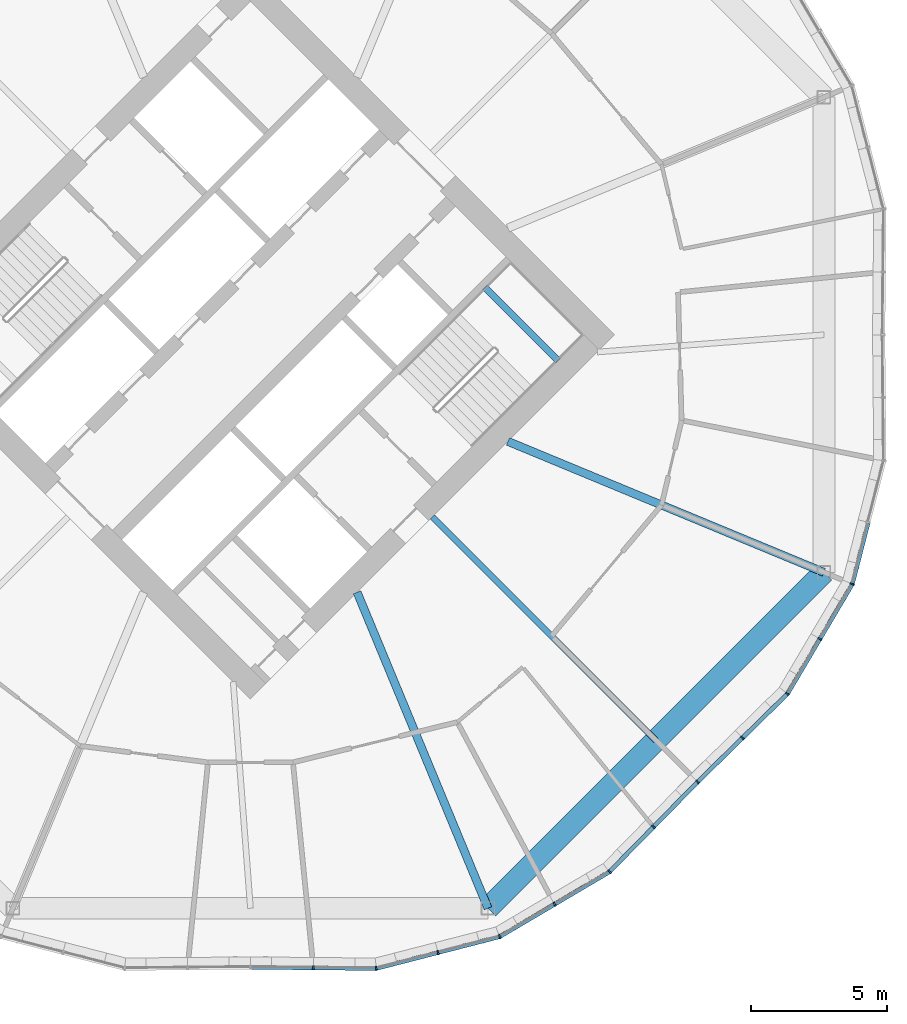
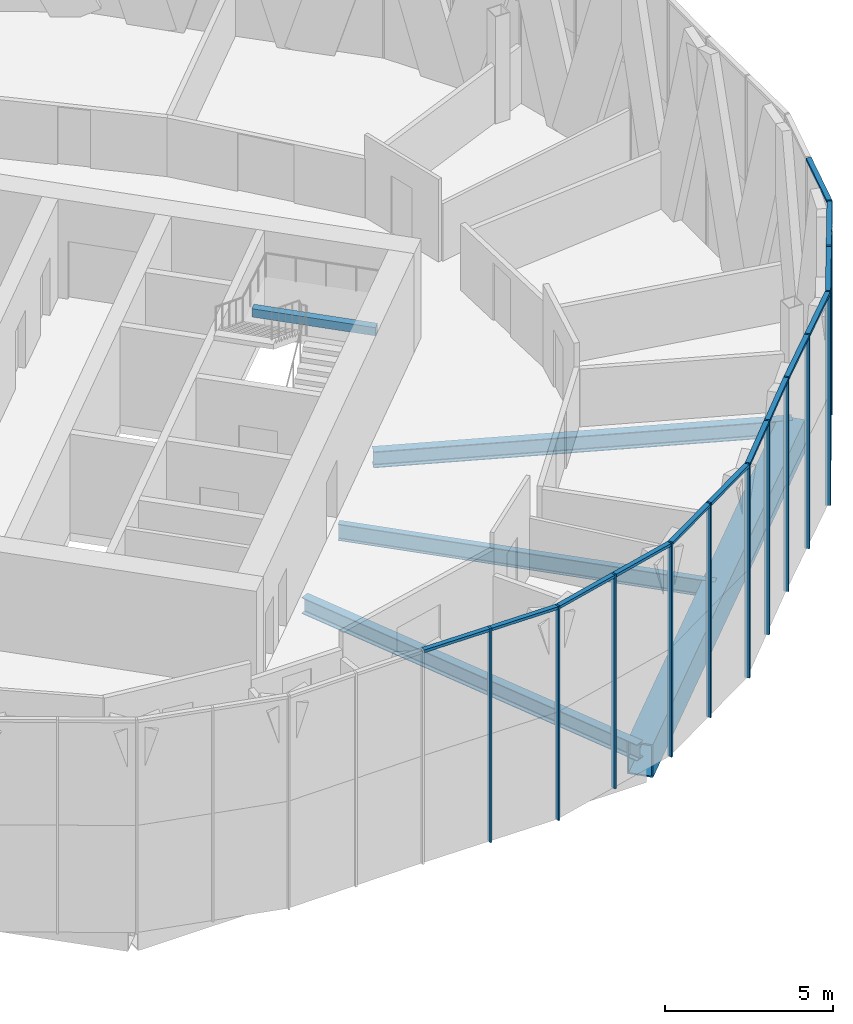
# One storey, part 13 of 31: 25 members, 5 beams, 2 elements without a shape of their own.
"""IFC4 building model written with IfcOpenShell, lengths in metres."""

from ifc_helpers import new_model, si_unit, direction, frame, origin, origin_2d, place, context, subcontext, project, spatial, rectangle, hollow_rectangle, i_section, extrude, material, material_profile, profile_set, type_object, element, aggregate, save


model = new_model("IFC4")

# Units and contexts
model_context = context("Model", 3, precision=1e-05, world=origin(), true_north=direction((0.0, 1.0)))
body_context = subcontext(model_context, "Body", "Model", "MODEL_VIEW")
ifc_project = project(units=[si_unit("LENGTHUNIT", "METRE"), si_unit("AREAUNIT", "SQUARE_METRE"), si_unit("VOLUMEUNIT", "CUBIC_METRE"), si_unit("PLANEANGLEUNIT", "RADIAN"), si_unit("MASSUNIT", "GRAM", prefix="KILO")], contexts=[model_context])

# Site, building, storey
site_placement = place(None, origin())
site = spatial("IfcSite", under=ifc_project, at=site_placement, CompositionType="ELEMENT")
building_placement = place(site_placement, origin())
building = spatial("IfcBuilding", under=site, at=building_placement, Name="Ogive Gate Towers", CompositionType="ELEMENT")
storey_placement = place(building_placement, frame((0.0, 0.0, 63.60009765625)))
storey = spatial("IfcBuildingStorey", under=building, at=storey_placement, Name="L14", CompositionType="ELEMENT", Elevation=63.60009765625)

# Beams
ifc_material_1 = material(Name="Steel SM460", Category="steel")
ifc_material_profile_1 = material_profile(ifc_material_1, hollow_rectangle(XDim=0.800048828125, YDim=1.199951171875, WallThickness=0.050048828125, at=origin_2d()), Name="BX 1200x800x50")
ifc_profile_set_1 = profile_set([ifc_material_profile_1], Name="Steel SM460")
beam_type_1 = type_object("IfcBeamType", Name="Edge girder BX 1200x800x50", PredefinedType="BEAM", material=ifc_profile_set_1)
beam_1_placement = place(storey_placement, frame((44.763427734375, -21.15673828125, -0.900146484375), z_axis=(0.707106781187, 0.707106781187, 0.0), x_axis=(-0.707106781187, 0.707106781187, 0.0)))
element("IfcBeam", 1, at=beam_1_placement, inside=storey, type_object=beam_type_1, Name="T2/L14/SBM019", PredefinedType="BEAM", context=body_context, shape_type="SweptSolid", body=[
    extrude(hollow_rectangle(XDim=0.800048828125, YDim=1.199951171875, WallThickness=0.050048828125, at=origin_2d()), origin(), (0.0, 0.0, 1.0), 17.52685546875),
])
ifc_material_2 = material(Name="Concrete C40/50", Category="concrete")
ifc_material_profile_2 = material_profile(ifc_material_2, rectangle(XDim=0.25, YDim=0.300048828125, at=origin_2d()), Name="RC 250x300")
ifc_profile_set_2 = profile_set([ifc_material_profile_2], Name="Concrete C40/50")
beam_type_2 = type_object("IfcBeamType", Name="Landing bearer RC 250x300", PredefinedType="BEAM", material=ifc_profile_set_2)
beam_2_placement = place(storey_placement, frame((47.349609375, -0.9541015625, 1.599853515625), z_axis=(-0.707106781187, 0.707106781187, 0.0), x_axis=(-0.707106781187, -0.707106781187, 0.0)))
element("IfcBeam", 2, at=beam_2_placement, inside=storey, type_object=beam_type_2, Name="T2 L14 stair 2 landing bearer 1", PredefinedType="BEAM", context=body_context, shape_type="SweptSolid", body=[
    extrude(rectangle(XDim=0.25, YDim=0.300048828125, at=origin_2d()), origin(), (0.0, 0.0, 1.0), 3.824951171875),
])
ifc_material_3 = material(Name="Steel SM355", Category="steel")
ifc_material_profile_3 = material_profile(ifc_material_3, i_section(OverallWidth=0.300048828125, OverallDepth=0.590087890625, WebThickness=0.012939453125, FlangeThickness=0.02490234375, FilletRadius=0.027099609375, at=origin_2d()), Name="HE 600 A")
ifc_profile_set_3 = profile_set([ifc_material_profile_3], Name="Steel SM355")
beam_type_3 = type_object("IfcBeamType", Name="Radial floor beam HE 600 A", PredefinedType="BEAM", material=ifc_profile_set_3)
for number, where, z_axis, x_axis, name in (
    (3, (39.93505859375, -9.5, -0.59521484375), (0.382682759347, -0.923879811284, 0.0), (0.923879811284, 0.382682759347, 0.0), "T2/L14/SBM005"),
    (4, (45.5, -3.93505859375, -0.59521484375), (0.923879811284, -0.382682759347, 0.0), (0.382682759347, 0.923879811284, 0.0), "T2/L14/SBM007"),
):
    element("IfcBeam", number, at=place(storey_placement, frame(where, z_axis=z_axis, x_axis=x_axis)), inside=storey, type_object=beam_type_3, Name=name, PredefinedType="BEAM", context=body_context, shape_type="SweptSolid", body=[
        extrude(i_section(OverallWidth=0.300048828125, OverallDepth=0.590087890625, WebThickness=0.012939453125, FlangeThickness=0.02490234375, FilletRadius=0.027099609375, at=origin_2d()), origin(), (0.0, 0.0, 1.0), 12.6171875),
    ])
ifc_material_profile_4 = material_profile(ifc_material_3, i_section(OverallWidth=0.219970703125, OverallDepth=0.60009765625, WebThickness=0.011962890625, FlangeThickness=0.01904296875, FilletRadius=0.02392578125, at=origin_2d()), Name="IPE 600")
ifc_profile_set_4 = profile_set([ifc_material_profile_4], Name="Steel SM355")
beam_type_4 = type_object("IfcBeamType", Name="Radial floor beam IPE 600", PredefinedType="BEAM", material=ifc_profile_set_4)
beam_3_placement = place(storey_placement, frame((42.717529296875, -6.717529296875, -0.60009765625), z_axis=(0.707106781187, -0.707106781187, 0.0), x_axis=(0.707106781187, 0.707106781187, 0.0)))
element("IfcBeam", 5, at=beam_3_placement, inside=storey, type_object=beam_type_4, Name="T2/L14/SBM006", PredefinedType="BEAM", context=body_context, shape_type="SweptSolid", body=[
    extrude(i_section(OverallWidth=0.219970703125, OverallDepth=0.60009765625, WebThickness=0.011962890625, FlangeThickness=0.01904296875, FilletRadius=0.02392578125, at=origin_2d()), origin(), (0.0, 0.0, 1.0), 11.656982421875),
])

# Curtain wall, members
ifc_material_4 = material(Name="Pale metal aluminium", Category="aluminium")
curtain_wall_type = type_object("IfcCurtainWallType", Name="Tower unitised wall, low zone", PredefinedType="NOTDEFINED", material=ifc_material_4)
curtain_wall_1_placement = place(storey_placement, origin())
curtain_wall_1 = element("IfcCurtainWall", 6, at=curtain_wall_1_placement, inside=storey, type_object=curtain_wall_type, Name="CW1 T2 ECW08", PredefinedType="NOTDEFINED")
ifc_material_profile_5 = material_profile(ifc_material_4, rectangle(XDim=0.159912109375, YDim=0.06005859375, at=origin_2d()), Name="60 x 160 aluminium box")
ifc_profile_set_5 = profile_set([ifc_material_profile_5], Name="Pale metal aluminium")
member_type_1 = type_object("IfcMemberType", Name="Tower unitised wall, low zone mullion 60 x 160", PredefinedType="MULLION", material=ifc_profile_set_5)
member_1_placement = place(storey_placement, frame((52.4970703125, -16.49658203125, -0.300048828125), z_axis=(0.0, 0.0, 1.0), x_axis=(-0.713849613797, 0.700299028189, 0.0)))
member_1 = element("IfcMember", 7, at=member_1_placement, type_object=member_type_1, Name="CW1 mullion", PredefinedType="MULLION", context=body_context, shape_type="SweptSolid", body=[
    extrude(rectangle(XDim=0.159912109375, YDim=0.06005859375, at=origin_2d()), origin(), (0.0, 0.0, 1.0), 7.800048828125),
])
member_2_placement = place(storey_placement, frame((50.873046875, -18.152099609375, -0.300048828125), z_axis=(0.0, 0.0, 1.0), x_axis=(-0.713849613797, 0.700299028189, 0.0)))
member_2 = element("IfcMember", 8, at=member_2_placement, type_object=member_type_1, Name="CW1 mullion", PredefinedType="MULLION", context=body_context, shape_type="SweptSolid", body=[
    extrude(rectangle(XDim=0.159912109375, YDim=0.06005859375, at=origin_2d()), origin(), (0.0, 0.0, 1.0), 7.800048828125),
])
member_3_placement = place(storey_placement, frame((49.2470703125, -19.809326171875, -0.300048828125), z_axis=(0.0, 0.0, 1.0), x_axis=(-0.616458855912, 0.787387121413, 0.0)))
member_3 = element("IfcMember", 9, at=member_3_placement, type_object=member_type_1, Name="CW1 mullion", PredefinedType="MULLION", context=body_context, shape_type="SweptSolid", body=[
    extrude(rectangle(XDim=0.159912109375, YDim=0.06005859375, at=origin_2d()), origin(), (0.0, 0.0, 1.0), 7.800048828125),
])
member_4_placement = place(storey_placement, frame((47.221923828125, -21.005615234375, -0.300048828125), z_axis=(0.0, 0.0, 1.0), x_axis=(-0.508545579527, 0.86103507103, 0.0)))
member_4 = element("IfcMember", 10, at=member_4_placement, type_object=member_type_1, Name="CW1 mullion", PredefinedType="MULLION", context=body_context, shape_type="SweptSolid", body=[
    extrude(rectangle(XDim=0.159912109375, YDim=0.06005859375, at=origin_2d()), origin(), (0.0, 0.0, 1.0), 7.800048828125),
])
member_5_placement = place(storey_placement, frame((45.1962890625, -22.201904296875, -0.300048828125), z_axis=(0.0, 0.0, 1.0), x_axis=(-0.382683432365, 0.923879532511, 0.0)))
member_5 = element("IfcMember", 11, at=member_5_placement, type_object=member_type_1, Name="CW1 mullion", PredefinedType="MULLION", context=body_context, shape_type="SweptSolid", body=[
    extrude(rectangle(XDim=0.159912109375, YDim=0.06005859375, at=origin_2d()), origin(), (0.0, 0.0, 1.0), 7.800048828125),
])
member_6_placement = place(storey_placement, frame((42.918212890625, -22.788330078125, -0.300048828125), z_axis=(0.0, 0.0, 1.0), x_axis=(-0.249247709738, 0.968439765391, 0.0)))
member_6 = element("IfcMember", 12, at=member_6_placement, type_object=member_type_1, Name="CW1 mullion", PredefinedType="MULLION", context=body_context, shape_type="SweptSolid", body=[
    extrude(rectangle(XDim=0.159912109375, YDim=0.06005859375, at=origin_2d()), origin(), (0.0, 0.0, 1.0), 7.800048828125),
])
member_7_placement = place(storey_placement, frame((40.64013671875, -23.37451171875, -0.300048828125), z_axis=(0.0, 0.0, 1.0), x_axis=(-0.120864535632, 0.992669010308, 0.0)))
member_7 = element("IfcMember", 13, at=member_7_placement, type_object=member_type_1, Name="CW1 mullion", PredefinedType="MULLION", context=body_context, shape_type="SweptSolid", body=[
    extrude(rectangle(XDim=0.159912109375, YDim=0.06005859375, at=origin_2d()), origin(), (0.0, 0.0, 1.0), 7.800048828125),
])
member_8_placement = place(storey_placement, frame((38.318603515625, -23.352294921875, -0.300048828125), z_axis=(0.0, 0.0, 1.0), x_axis=(0.009599163462, 0.999953926969, 0.0)))
member_8 = element("IfcMember", 14, at=member_8_placement, type_object=member_type_1, Name="CW1 mullion", PredefinedType="MULLION", context=body_context, shape_type="SweptSolid", body=[
    extrude(rectangle(XDim=0.159912109375, YDim=0.06005859375, at=origin_2d()), origin(), (0.0, 0.0, 1.0), 7.800048828125),
])

curtain_wall_2_placement = place(storey_placement, origin())
curtain_wall_2 = element("IfcCurtainWall", 15, at=curtain_wall_2_placement, inside=storey, type_object=curtain_wall_type, Name="CW1 T2 ECW09", PredefinedType="NOTDEFINED")
member_9_placement = place(storey_placement, frame((58.201904296875, -9.1962890625, -0.300048828125), z_axis=(0.0, 0.0, 1.0), x_axis=(-0.923879532511, 0.382683432365, 0.0)))
member_9 = element("IfcMember", 16, at=member_9_placement, type_object=member_type_1, Name="CW1 mullion", PredefinedType="MULLION", context=body_context, shape_type="SweptSolid", body=[
    extrude(rectangle(XDim=0.159912109375, YDim=0.06005859375, at=origin_2d()), origin(), (0.0, 0.0, 1.0), 7.800048828125),
])
member_10_placement = place(storey_placement, frame((57.005615234375, -11.221923828125, -0.300048828125), z_axis=(0.0, 0.0, 1.0), x_axis=(-0.86103507103, 0.508545579527, 0.0)))
member_10 = element("IfcMember", 17, at=member_10_placement, type_object=member_type_1, Name="CW1 mullion", PredefinedType="MULLION", context=body_context, shape_type="SweptSolid", body=[
    extrude(rectangle(XDim=0.159912109375, YDim=0.06005859375, at=origin_2d()), origin(), (0.0, 0.0, 1.0), 7.800048828125),
])
member_11_placement = place(storey_placement, frame((55.809326171875, -13.2470703125, -0.300048828125), z_axis=(0.0, 0.0, 1.0), x_axis=(-0.787387121413, 0.616458855912, 0.0)))
member_11 = element("IfcMember", 18, at=member_11_placement, type_object=member_type_1, Name="CW1 mullion", PredefinedType="MULLION", context=body_context, shape_type="SweptSolid", body=[
    extrude(rectangle(XDim=0.159912109375, YDim=0.06005859375, at=origin_2d()), origin(), (0.0, 0.0, 1.0), 7.800048828125),
])
member_12_placement = place(storey_placement, frame((54.152099609375, -14.873046875, -0.300048828125), z_axis=(0.0, 0.0, 1.0), x_axis=(-0.700299028189, 0.713849613797, 0.0)))
member_12 = element("IfcMember", 19, at=member_12_placement, type_object=member_type_1, Name="CW1 mullion", PredefinedType="MULLION", context=body_context, shape_type="SweptSolid", body=[
    extrude(rectangle(XDim=0.159912109375, YDim=0.06005859375, at=origin_2d()), origin(), (0.0, 0.0, 1.0), 7.800048828125),
])

# Member
ifc_material_profile_6 = material_profile(ifc_material_4, rectangle(XDim=0.159912109375, YDim=0.10009765625, at=origin_2d()), Name="100 x 160 aluminium box")
ifc_profile_set_6 = profile_set([ifc_material_profile_6], Name="Pale metal aluminium")
member_type_2 = type_object("IfcMemberType", Name="Tower unitised wall, low zone transom 100 x 160", PredefinedType="USERDEFINED", material=ifc_profile_set_6)
member_13_placement = place(storey_placement, frame((52.47607421875, -16.51806640625, 7.449951171875), z_axis=(-0.700319890129, -0.713829147269, 0.0), x_axis=(0.713829147269, -0.700319890129, 0.0)))
member_13 = element("IfcMember", 20, at=member_13_placement, type_object=member_type_2, Name="CW1 transom", ObjectType="TRANSOM", PredefinedType="USERDEFINED", context=body_context, shape_type="SweptSolid", body=[
    extrude(rectangle(XDim=0.159912109375, YDim=0.10009765625, at=origin_2d()), origin(), (0.0, 0.0, 1.0), 2.259033203125),
])

member_14_placement = place(storey_placement, frame((50.85205078125, -18.173583984375, 7.449951171875), z_axis=(-0.700319890129, -0.713829147269, 0.0), x_axis=(0.713829147269, -0.700319890129, 0.0)))
member_14 = element("IfcMember", 21, at=member_14_placement, type_object=member_type_2, Name="CW1 transom", ObjectType="TRANSOM", PredefinedType="USERDEFINED", context=body_context, shape_type="SweptSolid", body=[
    extrude(rectangle(XDim=0.159912109375, YDim=0.10009765625, at=origin_2d()), origin(), (0.0, 0.0, 1.0), 2.259033203125),
])

member_15_placement = place(storey_placement, frame((49.218994140625, -19.826171875, 7.449951171875), z_axis=(-0.861019926697, -0.508571220017, 0.0), x_axis=(0.508571220017, -0.861019926697, 0.0)))
member_15 = element("IfcMember", 22, at=member_15_placement, type_object=member_type_2, Name="CW1 transom", ObjectType="TRANSOM", PredefinedType="USERDEFINED", context=body_context, shape_type="SweptSolid", body=[
    extrude(rectangle(XDim=0.159912109375, YDim=0.10009765625, at=origin_2d()), origin(), (0.0, 0.0, 1.0), 2.289306640625),
])

member_16_placement = place(storey_placement, frame((47.196044921875, -21.02099609375, 7.449951171875), z_axis=(-0.861047505043, -0.508524526508, 0.0), x_axis=(0.508524526508, -0.861047505043, 0.0)))
member_16 = element("IfcMember", 23, at=member_16_placement, type_object=member_type_2, Name="CW1 transom", ObjectType="TRANSOM", PredefinedType="USERDEFINED", context=body_context, shape_type="SweptSolid", body=[
    extrude(rectangle(XDim=0.159912109375, YDim=0.10009765625, at=origin_2d()), origin(), (0.0, 0.0, 1.0), 2.28955078125),
])

member_17_placement = place(storey_placement, frame((45.16455078125, -22.210205078125, 7.449951171875), z_axis=(-0.968451032757, -0.249203926839, 0.0), x_axis=(0.249203926839, -0.968451032757, 0.0)))
member_17 = element("IfcMember", 24, at=member_17_placement, type_object=member_type_2, Name="CW1 transom", ObjectType="TRANSOM", PredefinedType="USERDEFINED", context=body_context, shape_type="SweptSolid", body=[
    extrude(rectangle(XDim=0.159912109375, YDim=0.10009765625, at=origin_2d()), origin(), (0.0, 0.0, 1.0), 2.28955078125),
])

member_18_placement = place(storey_placement, frame((42.88916015625, -22.795654296875, 7.449951171875), z_axis=(-0.968425293008, -0.249303934712, 0.0), x_axis=(0.249303934712, -0.968425293008, 0.0)))
member_18 = element("IfcMember", 25, at=member_18_placement, type_object=member_type_2, Name="CW1 transom", ObjectType="TRANSOM", PredefinedType="USERDEFINED", context=body_context, shape_type="SweptSolid", body=[
    extrude(rectangle(XDim=0.159912109375, YDim=0.10009765625, at=origin_2d()), origin(), (0.0, 0.0, 1.0), 2.28955078125),
])

member_19_placement = place(storey_placement, frame((40.607666015625, -23.374267578125, 7.449951171875), z_axis=(-0.999953745418, 0.009618057208, 0.0), x_axis=(-0.009618057208, -0.999953745418, 0.0)))
member_19 = element("IfcMember", 26, at=member_19_placement, type_object=member_type_2, Name="CW1 transom", ObjectType="TRANSOM", PredefinedType="USERDEFINED", context=body_context, shape_type="SweptSolid", body=[
    extrude(rectangle(XDim=0.159912109375, YDim=0.10009765625, at=origin_2d()), origin(), (0.0, 0.0, 1.0), 2.259033203125),
])

member_20_placement = place(storey_placement, frame((38.288818359375, -23.35205078125, 7.449951171875), z_axis=(-0.999953745418, 0.009618057208, 0.0), x_axis=(-0.009618057208, -0.999953745418, 0.0)))
member_20 = element("IfcMember", 27, at=member_20_placement, type_object=member_type_2, Name="CW1 transom", ObjectType="TRANSOM", PredefinedType="USERDEFINED", context=body_context, shape_type="SweptSolid", body=[
    extrude(rectangle(XDim=0.159912109375, YDim=0.10009765625, at=origin_2d()), origin(), (0.0, 0.0, 1.0), 2.259033203125),
])

aggregate(curtain_wall_1, [member_1, member_2, member_13, member_3, member_14, member_4, member_15, member_5, member_16, member_6, member_17, member_7, member_18, member_8, member_19, member_20])

member_21_placement = place(storey_placement, frame((58.78076171875, -6.947265625, 7.449951171875), z_axis=(-0.249203926839, -0.968451032757, 0.0), x_axis=(0.968451032757, -0.249203926839, 0.0)))
member_21 = element("IfcMember", 28, at=member_21_placement, type_object=member_type_2, Name="CW1 transom", ObjectType="TRANSOM", PredefinedType="USERDEFINED", context=body_context, shape_type="SweptSolid", body=[
    extrude(rectangle(XDim=0.159912109375, YDim=0.10009765625, at=origin_2d()), origin(), (0.0, 0.0, 1.0), 2.28955078125),
])

member_22_placement = place(storey_placement, frame((58.185302734375, -9.224609375, 7.449951171875), z_axis=(-0.508524526508, -0.861047505043, 0.0), x_axis=(0.861047505043, -0.508524526508, 0.0)))
member_22 = element("IfcMember", 29, at=member_22_placement, type_object=member_type_2, Name="CW1 transom", ObjectType="TRANSOM", PredefinedType="USERDEFINED", context=body_context, shape_type="SweptSolid", body=[
    extrude(rectangle(XDim=0.159912109375, YDim=0.10009765625, at=origin_2d()), origin(), (0.0, 0.0, 1.0), 2.28955078125),
])

member_23_placement = place(storey_placement, frame((56.990478515625, -11.247802734375, 7.449951171875), z_axis=(-0.508571220017, -0.861019926697, 0.0), x_axis=(0.861019926697, -0.508571220017, 0.0)))
member_23 = element("IfcMember", 30, at=member_23_placement, type_object=member_type_2, Name="CW1 transom", ObjectType="TRANSOM", PredefinedType="USERDEFINED", context=body_context, shape_type="SweptSolid", body=[
    extrude(rectangle(XDim=0.159912109375, YDim=0.10009765625, at=origin_2d()), origin(), (0.0, 0.0, 1.0), 2.289306640625),
])

member_24_placement = place(storey_placement, frame((55.7861328125, -13.27001953125, 7.449951171875), z_axis=(-0.713829147269, -0.700319890129, 0.0), x_axis=(0.700319890129, -0.713829147269, 0.0)))
member_24 = element("IfcMember", 31, at=member_24_placement, type_object=member_type_2, Name="CW1 transom", ObjectType="TRANSOM", PredefinedType="USERDEFINED", context=body_context, shape_type="SweptSolid", body=[
    extrude(rectangle(XDim=0.159912109375, YDim=0.10009765625, at=origin_2d()), origin(), (0.0, 0.0, 1.0), 2.259033203125),
])

member_25_placement = place(storey_placement, frame((54.130615234375, -14.89404296875, 7.449951171875), z_axis=(-0.713829147269, -0.700319890129, 0.0), x_axis=(0.700319890129, -0.713829147269, 0.0)))
member_25 = element("IfcMember", 32, at=member_25_placement, type_object=member_type_2, Name="CW1 transom", ObjectType="TRANSOM", PredefinedType="USERDEFINED", context=body_context, shape_type="SweptSolid", body=[
    extrude(rectangle(XDim=0.159912109375, YDim=0.10009765625, at=origin_2d()), origin(), (0.0, 0.0, 1.0), 2.259033203125),
])

aggregate(curtain_wall_2, [member_9, member_21, member_10, member_22, member_11, member_23, member_12, member_24, member_25])

save(model, "model.ifc")
